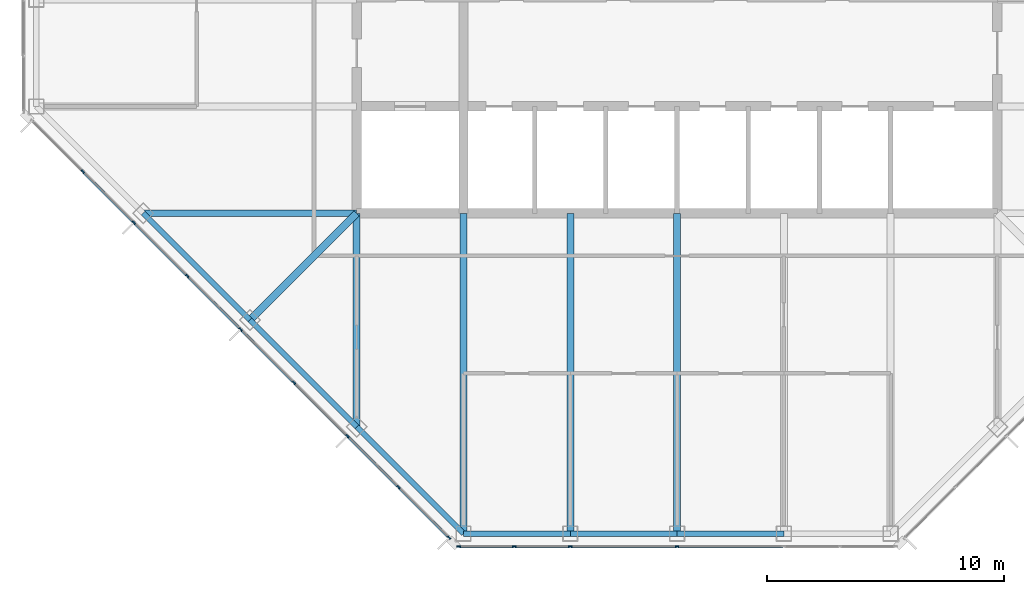
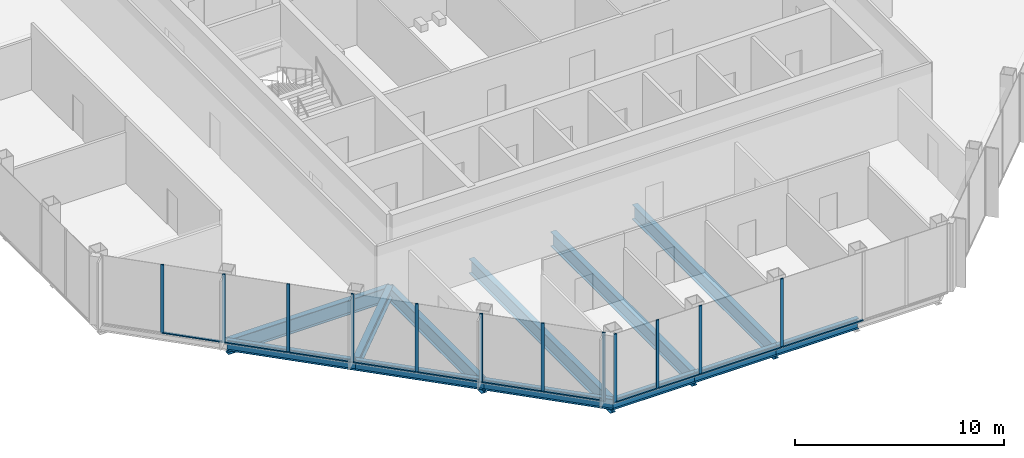
# One storey, part 2 of 14: 23 members, 12 beams, 2 elements without a shape of their own.
"""IFC4 building model written with IfcOpenShell, lengths in metres."""

from ifc_helpers import new_model, si_unit, direction, frame, origin, origin_2d, place, context, subcontext, project, spatial, rectangle, i_section, extrude, material, material_profile, profile_set, type_object, element, aggregate, save


model = new_model("IFC4")

# Units and contexts
model_context = context("Model", 3, precision=1e-05, world=origin(), true_north=direction((0.0, 1.0)))
body_context = subcontext(model_context, "Body", "Model", "MODEL_VIEW")
ifc_project = project(units=[si_unit("LENGTHUNIT", "METRE"), si_unit("AREAUNIT", "SQUARE_METRE"), si_unit("VOLUMEUNIT", "CUBIC_METRE"), si_unit("PLANEANGLEUNIT", "RADIAN"), si_unit("MASSUNIT", "GRAM", prefix="KILO")], contexts=[model_context])

# Site, building, storey
site_placement = place(None, origin())
site = spatial("IfcSite", under=ifc_project, at=site_placement, CompositionType="ELEMENT")
building_placement = place(site_placement, origin())
building = spatial("IfcBuilding", under=site, at=building_placement, Name="Corais Broadcast Tower", CompositionType="ELEMENT")
storey_placement = place(building_placement, frame((0.0, 0.0, 258.60009765625)))
storey = spatial("IfcBuildingStorey", under=building, at=storey_placement, Name="L60", CompositionType="ELEMENT", Elevation=258.60009765625)

# Beams
ifc_material_1 = material(Name="Steel ASTM A572 Grade 50", Category="steel")
ifc_material_profile_1 = material_profile(ifc_material_1, i_section(OverallWidth=0.323974609375, OverallDepth=0.611083984375, WebThickness=0.0126953125, FlangeThickness=0.01904296875, at=origin_2d()), Name="W610x155")
ifc_profile_set_1 = profile_set([ifc_material_profile_1], Name="Steel ASTM A572 Grade 50")
beam_type_1 = type_object("IfcBeamType", Name="Corner diagonal W610x155", PredefinedType="BEAM", material=ifc_profile_set_1)
beam_1_placement = place(storey_placement, frame((9.0, 9.0, -0.465576171875), z_axis=(0.707106781187, 0.707106781187, 0.0), x_axis=(-0.707106781187, 0.707106781187, 0.0)))
element("IfcBeam", 1, at=beam_1_placement, inside=storey, type_object=beam_type_1, Name="B6 C/5 to D/6", PredefinedType="BEAM", context=body_context, shape_type="SweptSolid", body=[
    extrude(i_section(OverallWidth=0.323974609375, OverallDepth=0.611083984375, WebThickness=0.0126953125, FlangeThickness=0.01904296875, at=origin_2d()), origin(), (0.0, 0.0, 1.0), 6.364013671875),
])
ifc_material_2 = material(Name="Steel ASTM A572 Grade 50", Category="steel")
ifc_material_profile_2 = material_profile(ifc_material_2, i_section(OverallWidth=0.2939453125, OverallDepth=0.85107421875, WebThickness=0.01611328125, FlangeThickness=0.02685546875, at=origin_2d()), Name="W840x226")
ifc_profile_set_2 = profile_set([ifc_material_profile_2], Name="Steel ASTM A572 Grade 50")
beam_type_2 = type_object("IfcBeamType", Name="Floor beam W840x226", PredefinedType="BEAM", material=ifc_profile_set_2)
beam_2_placement = place(storey_placement, frame((13.5, 4.5, -0.585693359375), z_axis=(0.0, 1.0, 0.0), x_axis=(-1.0, 0.0, 0.0)))
element("IfcBeam", 2, at=beam_2_placement, inside=storey, type_object=beam_type_2, Name="B1 B/6 to D/6", PredefinedType="BEAM", context=body_context, shape_type="SweptSolid", body=[
    extrude(i_section(OverallWidth=0.2939453125, OverallDepth=0.85107421875, WebThickness=0.01611328125, FlangeThickness=0.02685546875, at=origin_2d()), origin(), (0.0, 0.0, 1.0), 9.0),
])
for number, where, z_axis, x_axis, name in (
    (3, (18.0, 0.0, -0.585693359375), (0.0, 1.0, 0.0), (-1.0, 0.0, 0.0), "B1 A/7 to D/7"),
    (4, (22.5, 0.0, -0.585693359375), (0.0, 1.0, 0.0), (-1.0, 0.0, 0.0), "B1 A/8 to D/8"),
    (5, (27.0, 0.0, -0.585693359375), (0.0, 1.0, 0.0), (-1.0, 0.0, 0.0), "B1 A/9 to D/9"),
):
    element("IfcBeam", number, at=place(storey_placement, frame(where, z_axis=z_axis, x_axis=x_axis)), inside=storey, type_object=beam_type_2, Name=name, PredefinedType="BEAM", context=body_context, shape_type="SweptSolid", body=[
        extrude(i_section(OverallWidth=0.2939453125, OverallDepth=0.85107421875, WebThickness=0.01611328125, FlangeThickness=0.02685546875, at=origin_2d()), origin(), (0.0, 0.0, 1.0), 13.5),
    ])
beam_3_placement = place(storey_placement, frame((4.5, 13.5, -0.585693359375), z_axis=(1.0, 0.0, 0.0), x_axis=(0.0, 1.0, 0.0)))
element("IfcBeam", 6, at=beam_3_placement, inside=storey, type_object=beam_type_2, Name="B1 D/4 to D/6", PredefinedType="BEAM", context=body_context, shape_type="SweptSolid", body=[
    extrude(i_section(OverallWidth=0.2939453125, OverallDepth=0.85107421875, WebThickness=0.01611328125, FlangeThickness=0.02685546875, at=origin_2d()), origin(), (0.0, 0.0, 1.0), 9.0),
])

# Curtain wall, members
ifc_material_3 = material(Name="Aluminium and glass", Category="aluminium")
curtain_wall_type = type_object("IfcCurtainWallType", Name="Unitised fritted curtain wall CW3", PredefinedType="NOTDEFINED", material=ifc_material_3)
curtain_wall_1_placement = place(storey_placement, origin())
curtain_wall_1 = element("IfcCurtainWall", 7, at=curtain_wall_1_placement, inside=storey, type_object=curtain_wall_type, Name="CW3 curtain wall L60 1", PredefinedType="NOTDEFINED")
ifc_material_4 = material(Name="Aluminium 6063-T6", Category="aluminium")
ifc_material_profile_3 = material_profile(ifc_material_4, rectangle(XDim=0.06494140625, YDim=0.159912109375, at=origin_2d()), Name="Mullion CW3 65x160")
ifc_profile_set_3 = profile_set([ifc_material_profile_3], Name="Aluminium 6063-T6")
member_type_1 = type_object("IfcMemberType", Name="Mullion CW3 65x160", PredefinedType="MULLION", material=ifc_profile_set_3)
member_1_placement = place(storey_placement, frame((17.3955078125, -0.17333984375, 0.0), z_axis=(0.0, 0.0, 1.0), x_axis=(-0.707106781187, -0.707106781187, 0.0)))
member_1 = element("IfcMember", 8, at=member_1_placement, type_object=member_type_1, Name="CW3 mullion 1", PredefinedType="MULLION", context=body_context, shape_type="SweptSolid", body=[
    extrude(rectangle(XDim=0.06494140625, YDim=0.159912109375, at=origin_2d()), origin(), (0.0, 0.0, 1.0), 4.0),
])
member_2_placement = place(storey_placement, frame((15.264892578125, 1.957275390625, 0.0), z_axis=(0.0, 0.0, 1.0), x_axis=(-0.707106781187, -0.707106781187, 0.0)))
member_2 = element("IfcMember", 9, at=member_2_placement, type_object=member_type_1, Name="CW3 mullion 2", PredefinedType="MULLION", context=body_context, shape_type="SweptSolid", body=[
    extrude(rectangle(XDim=0.06494140625, YDim=0.159912109375, at=origin_2d()), origin(), (0.0, 0.0, 1.0), 4.0),
])
member_3_placement = place(storey_placement, frame((13.111083984375, 4.111083984375, 0.0), z_axis=(0.0, 0.0, 1.0), x_axis=(-0.707106781187, -0.707106781187, 0.0)))
member_3 = element("IfcMember", 10, at=member_3_placement, type_object=member_type_1, Name="CW3 mullion 3", PredefinedType="MULLION", context=body_context, shape_type="SweptSolid", body=[
    extrude(rectangle(XDim=0.06494140625, YDim=0.159912109375, at=origin_2d()), origin(), (0.0, 0.0, 1.0), 4.0),
])
member_4_placement = place(storey_placement, frame((10.861083984375, 6.361083984375, 0.0), z_axis=(0.0, 0.0, 1.0), x_axis=(-0.707106781187, -0.707106781187, 0.0)))
member_4 = element("IfcMember", 11, at=member_4_placement, type_object=member_type_1, Name="CW3 mullion 4", PredefinedType="MULLION", context=body_context, shape_type="SweptSolid", body=[
    extrude(rectangle(XDim=0.06494140625, YDim=0.159912109375, at=origin_2d()), origin(), (0.0, 0.0, 1.0), 4.0),
])
member_5_placement = place(storey_placement, frame((8.611083984375, 8.611083984375, 0.0), z_axis=(0.0, 0.0, 1.0), x_axis=(-0.707106781187, -0.707106781187, 0.0)))
member_5 = element("IfcMember", 12, at=member_5_placement, type_object=member_type_1, Name="CW3 mullion 5", PredefinedType="MULLION", context=body_context, shape_type="SweptSolid", body=[
    extrude(rectangle(XDim=0.06494140625, YDim=0.159912109375, at=origin_2d()), origin(), (0.0, 0.0, 1.0), 4.0),
])
member_6_placement = place(storey_placement, frame((6.361083984375, 10.861083984375, 0.0), z_axis=(0.0, 0.0, 1.0), x_axis=(-0.707106781187, -0.707106781187, 0.0)))
member_6 = element("IfcMember", 13, at=member_6_placement, type_object=member_type_1, Name="CW3 mullion 6", PredefinedType="MULLION", context=body_context, shape_type="SweptSolid", body=[
    extrude(rectangle(XDim=0.06494140625, YDim=0.159912109375, at=origin_2d()), origin(), (0.0, 0.0, 1.0), 4.0),
])
member_7_placement = place(storey_placement, frame((4.111083984375, 13.111083984375, 0.0), z_axis=(0.0, 0.0, 1.0), x_axis=(-0.707106781187, -0.707106781187, 0.0)))
member_7 = element("IfcMember", 14, at=member_7_placement, type_object=member_type_1, Name="CW3 mullion 7", PredefinedType="MULLION", context=body_context, shape_type="SweptSolid", body=[
    extrude(rectangle(XDim=0.06494140625, YDim=0.159912109375, at=origin_2d()), origin(), (0.0, 0.0, 1.0), 4.0),
])
member_8_placement = place(storey_placement, frame((1.957275390625, 15.264892578125, 0.0), z_axis=(0.0, 0.0, 1.0), x_axis=(-0.707106781187, -0.707106781187, 0.0)))
member_8 = element("IfcMember", 15, at=member_8_placement, type_object=member_type_1, Name="CW3 mullion 8", PredefinedType="MULLION", context=body_context, shape_type="SweptSolid", body=[
    extrude(rectangle(XDim=0.06494140625, YDim=0.159912109375, at=origin_2d()), origin(), (0.0, 0.0, 1.0), 4.0),
])

curtain_wall_2_placement = place(storey_placement, origin())
curtain_wall_2 = element("IfcCurtainWall", 16, at=curtain_wall_2_placement, inside=storey, type_object=curtain_wall_type, Name="CW3 curtain wall L60 8", PredefinedType="NOTDEFINED")
member_9_placement = place(storey_placement, frame((27.0, -0.550048828125, 0.0), z_axis=(0.0, 0.0, 1.0), x_axis=(0.0, -1.0, 0.0)))
member_9 = element("IfcMember", 17, at=member_9_placement, type_object=member_type_1, Name="CW3 mullion 4", PredefinedType="MULLION", context=body_context, shape_type="SweptSolid", body=[
    extrude(rectangle(XDim=0.06494140625, YDim=0.159912109375, at=origin_2d()), origin(), (0.0, 0.0, 1.0), 4.0),
])
member_10_placement = place(storey_placement, frame((22.5, -0.550048828125, 0.0), z_axis=(0.0, 0.0, 1.0), x_axis=(0.0, -1.0, 0.0)))
member_10 = element("IfcMember", 18, at=member_10_placement, type_object=member_type_1, Name="CW3 mullion 5", PredefinedType="MULLION", context=body_context, shape_type="SweptSolid", body=[
    extrude(rectangle(XDim=0.06494140625, YDim=0.159912109375, at=origin_2d()), origin(), (0.0, 0.0, 1.0), 4.0),
])
member_11_placement = place(storey_placement, frame((20.135986328125, -0.550048828125, 0.0), z_axis=(0.0, 0.0, 1.0), x_axis=(0.0, -1.0, 0.0)))
member_11 = element("IfcMember", 19, at=member_11_placement, type_object=member_type_1, Name="CW3 mullion 6", PredefinedType="MULLION", context=body_context, shape_type="SweptSolid", body=[
    extrude(rectangle(XDim=0.06494140625, YDim=0.159912109375, at=origin_2d()), origin(), (0.0, 0.0, 1.0), 4.0),
])
member_12_placement = place(storey_placement, frame((17.8046875, -0.550048828125, 0.0), z_axis=(0.0, 0.0, 1.0), x_axis=(0.0, -1.0, 0.0)))
member_12 = element("IfcMember", 20, at=member_12_placement, type_object=member_type_1, Name="CW3 mullion 7", PredefinedType="MULLION", context=body_context, shape_type="SweptSolid", body=[
    extrude(rectangle(XDim=0.06494140625, YDim=0.159912109375, at=origin_2d()), origin(), (0.0, 0.0, 1.0), 4.0),
])

# Beams
ifc_material_5 = material(Name="Steel ASTM A572 Grade 50", Category="steel")
ifc_material_profile_4 = material_profile(ifc_material_5, i_section(OverallWidth=0.22998046875, OverallDepth=0.616943359375, WebThickness=0.01318359375, FlangeThickness=0.022216796875, at=origin_2d()), Name="W610x140")
ifc_profile_set_4 = profile_set([ifc_material_profile_4], Name="Steel ASTM A572 Grade 50")
beam_type_3 = type_object("IfcBeamType", Name="Spandrel W610x140", PredefinedType="BEAM", material=ifc_profile_set_4)
beam_4_placement = place(storey_placement, frame((13.5, 4.5, -0.468505859375), z_axis=(0.707106781187, -0.707106781187, 0.0), x_axis=(0.707106781187, 0.707106781187, 0.0)))
element("IfcBeam", 21, at=beam_4_placement, inside=storey, type_object=beam_type_3, Name="SB3 B/6 to A/7", PredefinedType="BEAM", context=body_context, shape_type="SweptSolid", body=[
    extrude(i_section(OverallWidth=0.22998046875, OverallDepth=0.616943359375, WebThickness=0.01318359375, FlangeThickness=0.022216796875, at=origin_2d()), origin(), (0.0, 0.0, 1.0), 6.364013671875),
])
for number, where, z_axis, x_axis, name in (
    (22, (18.0, 0.0, -0.468505859375), (1.0, 0.0, 0.0), (0.0, 1.0, 0.0), "SB3 A/7 to A/8"),
    (23, (22.5, 0.0, -0.468505859375), (1.0, 0.0, 0.0), (0.0, 1.0, 0.0), "SB3 A/8 to A/9"),
    (24, (27.0, 0.0, -0.468505859375), (1.0, 0.0, 0.0), (0.0, 1.0, 0.0), "SB3 A/9 to A/10"),
):
    element("IfcBeam", number, at=place(storey_placement, frame(where, z_axis=z_axis, x_axis=x_axis)), inside=storey, type_object=beam_type_3, Name=name, PredefinedType="BEAM", context=body_context, shape_type="SweptSolid", body=[
        extrude(i_section(OverallWidth=0.22998046875, OverallDepth=0.616943359375, WebThickness=0.01318359375, FlangeThickness=0.022216796875, at=origin_2d()), origin(), (0.0, 0.0, 1.0), 4.5),
    ])
for number, where, z_axis, x_axis, name in (
    (25, (4.5, 13.5, -0.468505859375), (0.707106781187, -0.707106781187, 0.0), (0.707106781187, 0.707106781187, 0.0), "SB3 D/4 to C/5"),
    (26, (9.0, 9.0, -0.468505859375), (0.707106781187, -0.707106781187, 0.0), (0.707106781187, 0.707106781187, 0.0), "SB3 C/5 to B/6"),
):
    element("IfcBeam", number, at=place(storey_placement, frame(where, z_axis=z_axis, x_axis=x_axis)), inside=storey, type_object=beam_type_3, Name=name, PredefinedType="BEAM", context=body_context, shape_type="SweptSolid", body=[
        extrude(i_section(OverallWidth=0.22998046875, OverallDepth=0.616943359375, WebThickness=0.01318359375, FlangeThickness=0.022216796875, at=origin_2d()), origin(), (0.0, 0.0, 1.0), 6.364013671875),
    ])

# Member
ifc_material_6 = material(Name="Aluminium 6063-T6", Category="aluminium")
ifc_material_profile_5 = material_profile(ifc_material_6, rectangle(XDim=0.1201171875, YDim=0.06494140625, at=origin_2d()), Name="Transom CW3 65x120")
ifc_profile_set_5 = profile_set([ifc_material_profile_5], Name="Aluminium 6063-T6")
member_type_2 = type_object("IfcMemberType", Name="Transom CW3 65x120", PredefinedType="USERDEFINED", material=ifc_profile_set_5)
member_13_placement = place(storey_placement, frame((17.37255859375, -0.150390625, 0.032470703125), z_axis=(-0.707106781187, 0.707106781187, 0.0), x_axis=(-0.707106781187, -0.707106781187, 0.0)))
member_13 = element("IfcMember", 27, at=member_13_placement, type_object=member_type_2, Name="CW3 transom 1.1", ObjectType="TRANSOM", PredefinedType="USERDEFINED", context=body_context, shape_type="SweptSolid", body=[
    extrude(rectangle(XDim=0.1201171875, YDim=0.06494140625, at=origin_2d()), origin(), (0.0, 0.0, 1.0), 2.9482421875),
])

member_14_placement = place(storey_placement, frame((15.241943359375, 1.980224609375, 0.032470703125), z_axis=(-0.707106781187, 0.707106781187, 0.0), x_axis=(-0.707106781187, -0.707106781187, 0.0)))
member_14 = element("IfcMember", 28, at=member_14_placement, type_object=member_type_2, Name="CW3 transom 2.1", ObjectType="TRANSOM", PredefinedType="USERDEFINED", context=body_context, shape_type="SweptSolid", body=[
    extrude(rectangle(XDim=0.1201171875, YDim=0.06494140625, at=origin_2d()), origin(), (0.0, 0.0, 1.0), 2.98095703125),
])

member_15_placement = place(storey_placement, frame((13.088134765625, 4.134033203125, 0.032470703125), z_axis=(-0.707106781187, 0.707106781187, 0.0), x_axis=(-0.707106781187, -0.707106781187, 0.0)))
member_15 = element("IfcMember", 29, at=member_15_placement, type_object=member_type_2, Name="CW3 transom 3.1", ObjectType="TRANSOM", PredefinedType="USERDEFINED", context=body_context, shape_type="SweptSolid", body=[
    extrude(rectangle(XDim=0.1201171875, YDim=0.06494140625, at=origin_2d()), origin(), (0.0, 0.0, 1.0), 3.1171875),
])

member_16_placement = place(storey_placement, frame((10.838134765625, 6.384033203125, 0.032470703125), z_axis=(-0.707106781187, 0.707106781187, 0.0), x_axis=(-0.707106781187, -0.707106781187, 0.0)))
member_16 = element("IfcMember", 30, at=member_16_placement, type_object=member_type_2, Name="CW3 transom 4.1", ObjectType="TRANSOM", PredefinedType="USERDEFINED", context=body_context, shape_type="SweptSolid", body=[
    extrude(rectangle(XDim=0.1201171875, YDim=0.06494140625, at=origin_2d()), origin(), (0.0, 0.0, 1.0), 3.1171875),
])

member_17_placement = place(storey_placement, frame((8.588134765625, 8.634033203125, 0.032470703125), z_axis=(-0.707106781187, 0.707106781187, 0.0), x_axis=(-0.707106781187, -0.707106781187, 0.0)))
member_17 = element("IfcMember", 31, at=member_17_placement, type_object=member_type_2, Name="CW3 transom 5.1", ObjectType="TRANSOM", PredefinedType="USERDEFINED", context=body_context, shape_type="SweptSolid", body=[
    extrude(rectangle(XDim=0.1201171875, YDim=0.06494140625, at=origin_2d()), origin(), (0.0, 0.0, 1.0), 3.1171875),
])

member_18_placement = place(storey_placement, frame((6.338134765625, 10.884033203125, 0.032470703125), z_axis=(-0.707106781187, 0.707106781187, 0.0), x_axis=(-0.707106781187, -0.707106781187, 0.0)))
member_18 = element("IfcMember", 32, at=member_18_placement, type_object=member_type_2, Name="CW3 transom 6.1", ObjectType="TRANSOM", PredefinedType="USERDEFINED", context=body_context, shape_type="SweptSolid", body=[
    extrude(rectangle(XDim=0.1201171875, YDim=0.06494140625, at=origin_2d()), origin(), (0.0, 0.0, 1.0), 3.1171875),
])

member_19_placement = place(storey_placement, frame((4.088134765625, 13.134033203125, 0.032470703125), z_axis=(-0.707065828661, 0.70714773134, 0.0), x_axis=(-0.70714773134, -0.707065828661, 0.0)))
member_19 = element("IfcMember", 33, at=member_19_placement, type_object=member_type_2, Name="CW3 transom 7.1", ObjectType="TRANSOM", PredefinedType="USERDEFINED", context=body_context, shape_type="SweptSolid", body=[
    extrude(rectangle(XDim=0.1201171875, YDim=0.06494140625, at=origin_2d()), origin(), (0.0, 0.0, 1.0), 2.98095703125),
])

aggregate(curtain_wall_1, [member_1, member_2, member_3, member_4, member_5, member_6, member_7, member_8, member_13, member_14, member_15, member_16, member_17, member_18, member_19])

member_20_placement = place(storey_placement, frame((31.467529296875, -0.550048828125, 0.032470703125), z_axis=(-1.0, 0.0, 0.0), x_axis=(0.0, -1.0, 0.0)))
member_20 = element("IfcMember", 34, at=member_20_placement, type_object=member_type_2, Name="CW3 transom 3.1", ObjectType="TRANSOM", PredefinedType="USERDEFINED", context=body_context, shape_type="SweptSolid", body=[
    extrude(rectangle(XDim=0.1201171875, YDim=0.06494140625, at=origin_2d()), origin(), (0.0, 0.0, 1.0), 4.43505859375),
])

member_21_placement = place(storey_placement, frame((26.967529296875, -0.550048828125, 0.032470703125), z_axis=(-1.0, 0.0, 0.0), x_axis=(0.0, -1.0, 0.0)))
member_21 = element("IfcMember", 35, at=member_21_placement, type_object=member_type_2, Name="CW3 transom 4.1", ObjectType="TRANSOM", PredefinedType="USERDEFINED", context=body_context, shape_type="SweptSolid", body=[
    extrude(rectangle(XDim=0.1201171875, YDim=0.06494140625, at=origin_2d()), origin(), (0.0, 0.0, 1.0), 4.43505859375),
])

member_22_placement = place(storey_placement, frame((22.467529296875, -0.550048828125, 0.032470703125), z_axis=(-1.0, 0.0, 0.0), x_axis=(0.0, -1.0, 0.0)))
member_22 = element("IfcMember", 36, at=member_22_placement, type_object=member_type_2, Name="CW3 transom 5.1", ObjectType="TRANSOM", PredefinedType="USERDEFINED", context=body_context, shape_type="SweptSolid", body=[
    extrude(rectangle(XDim=0.1201171875, YDim=0.06494140625, at=origin_2d()), origin(), (0.0, 0.0, 1.0), 2.298828125),
])

member_23_placement = place(storey_placement, frame((20.103515625, -0.550048828125, 0.032470703125), z_axis=(-1.0, 0.0, 0.0), x_axis=(0.0, -1.0, 0.0)))
member_23 = element("IfcMember", 37, at=member_23_placement, type_object=member_type_2, Name="CW3 transom 6.1", ObjectType="TRANSOM", PredefinedType="USERDEFINED", context=body_context, shape_type="SweptSolid", body=[
    extrude(rectangle(XDim=0.1201171875, YDim=0.06494140625, at=origin_2d()), origin(), (0.0, 0.0, 1.0), 2.266357421875),
])

aggregate(curtain_wall_2, [member_9, member_10, member_11, member_12, member_20, member_21, member_22, member_23])

save(model, "model.ifc")
